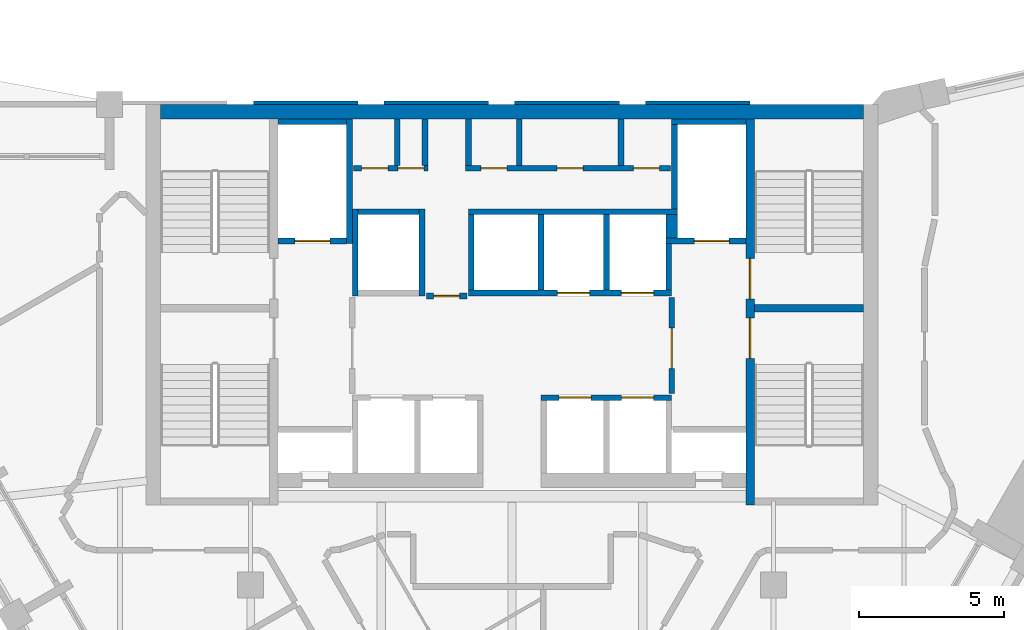
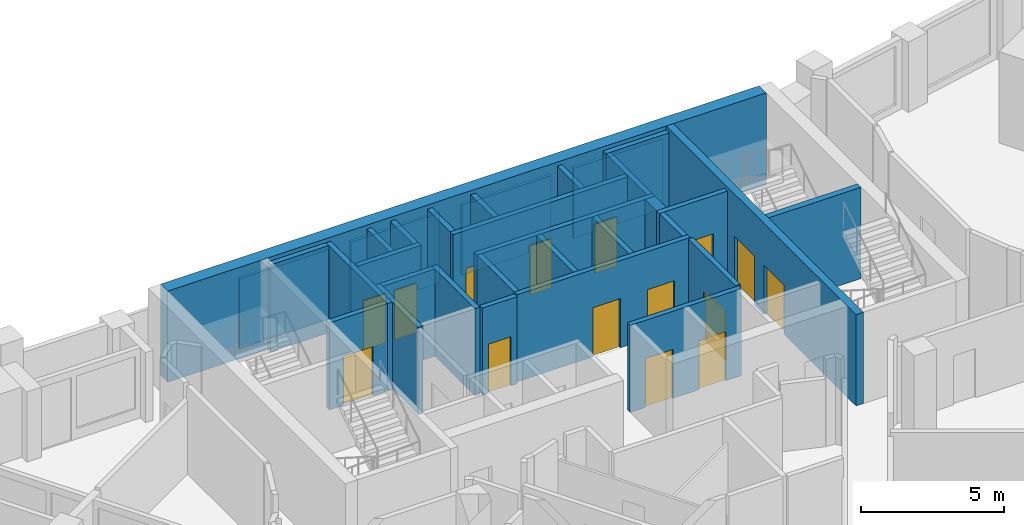
# One storey, part 6 of 9: 33 walls, 15 doors, 15 openings.
"""IFC4 building model written with IfcOpenShell, lengths in metres."""

from ifc_helpers import new_model, si_unit, direction, frame, frame_2d, origin, place, context, subcontext, project, spatial, polyline, rectangle, outline, extrude, material, layer, layer_set, type_object, element, fill, save


model = new_model("IFC4")

# Units and contexts
model_context = context("Model", 3, precision=1e-05, world=origin(), true_north=direction((0.0, 1.0)))
body_context = subcontext(model_context, "Body", "Model", "MODEL_VIEW")
ifc_project = project(units=[si_unit("LENGTHUNIT", "METRE"), si_unit("AREAUNIT", "SQUARE_METRE"), si_unit("VOLUMEUNIT", "CUBIC_METRE"), si_unit("PLANEANGLEUNIT", "RADIAN"), si_unit("MASSUNIT", "GRAM", prefix="KILO")], contexts=[model_context])

# Site, building, storey
site_placement = place(None, origin())
site = spatial("IfcSite", under=ifc_project, at=site_placement, CompositionType="ELEMENT")
building_placement = place(site_placement, origin())
building = spatial("IfcBuilding", under=site, at=building_placement, Name="Calabash Gate Tower", CompositionType="ELEMENT")
storey_placement = place(building_placement, frame((0.0, 0.0, 248.199951171875)))
storey = spatial("IfcBuildingStorey", under=building, at=storey_placement, Name="L59", CompositionType="ELEMENT", Elevation=248.199951171875)

# Walls
ifc_material_1 = material(Name="Gypsum board on steel studs, mineral wool", Category="steel")
ifc_layer_1 = layer(ifc_material_1, 0.199951171875)
ifc_layer_set_1 = layer_set([ifc_layer_1], Name="Core partition 200 gypsum board")
wall_type_1 = type_object("IfcWallType", Name="Core partition 200 gypsum board", PredefinedType="PARTITIONING", material=ifc_layer_set_1)
for number, where, z_axis, x_axis, name in (
    (1, (-3.949951171875, 16.95263671875, 0.0), (0.0, 0.0, 1.0), (0.0, 1.0, 0.0), "Core partition"),
    (2, (-3.0, 16.95263671875, 0.0), (0.0, 0.0, 1.0), (0.0, 1.0, 0.0), "Core partition"),
    (3, (-1.5, 16.95263671875, 0.0), (0.0, 0.0, 1.0), (0.0, 1.0, 0.0), "Core partition"),
    (4, (0.25, 16.95263671875, 0.0), (0.0, 0.0, 1.0), (0.0, 1.0, 0.0), "Core partition"),
    (5, (3.75, 16.95263671875, 0.0), (0.0, 0.0, 1.0), (0.0, 1.0, 0.0), "Core partition"),
):
    element("IfcWall", number, at=place(storey_placement, frame(where, z_axis=z_axis, x_axis=x_axis)), inside=storey, type_object=wall_type_1, Name=name, PredefinedType="PARTITIONING", context=body_context, shape_type="SweptSolid", body=[
        extrude(rectangle(XDim=1.599853515625, YDim=0.199951171875, at=frame_2d((0.7998046875, 0.0))), origin(), (0.0, 0.0, 1.0), 3.72998046875),
    ])
ifc_material_2 = material(Name="Concrete C60/75", Category="concrete")
ifc_layer_2 = layer(ifc_material_2, 0.25)
ifc_layer_set_2 = layer_set([ifc_layer_2], Name="Core wall 250 Concrete C60/75")
wall_type_2 = type_object("IfcWallType", Name="Core wall 250 Concrete C60/75", PredefinedType="SHEAR", material=ifc_layer_set_2)
wall_1_placement = place(storey_placement, frame((8.35009765625, 12.027587890625, 0.0), z_axis=(0.0, 0.0, 1.0), x_axis=(1.0, 0.0, 0.0)))
element("IfcWall", 6, at=wall_1_placement, inside=storey, type_object=wall_type_2, Name="Core wall Z5-MIDE L59", PredefinedType="SHEAR", context=body_context, shape_type="SweptSolid", body=[
    extrude(rectangle(XDim=3.75, YDim=0.25, at=frame_2d((1.875, 0.0))), origin(), (0.0, 0.0, 1.0), 3.900146484375),
])

# Wall, openings, doors
ifc_material_3 = material(Name="Concrete C60/75", Category="concrete")
ifc_layer_3 = layer(ifc_material_3, 0.300048828125)
ifc_layer_set_3 = layer_set([ifc_layer_3], Name="Core wall 300 Concrete C60/75")
wall_type_3 = type_object("IfcWallType", Name="Core wall 300 Concrete C60/75", PredefinedType="SHEAR", material=ifc_layer_set_3)
wall_2_placement = place(storey_placement, frame((8.199951171875, 5.252685546875, 0.0), z_axis=(0.0, 0.0, 1.0), x_axis=(0.0, 1.0, 0.0)))
wall_2 = element("IfcWall", 7, at=wall_2_placement, inside=storey, type_object=wall_type_3, Name="Core wall Z5-PARTE L59", PredefinedType="SHEAR", context=body_context, shape_type="SweptSolid", body=[
    extrude(rectangle(XDim=13.2998046875, YDim=0.300048828125, at=frame_2d((6.64990234375, 0.0))), origin(), (0.0, 0.0, 1.0), 3.900146484375),
])
opening_1_placement = place(wall_2_placement, frame((7.10009765625, 0.0, 0.0)))
opening_1 = element("IfcOpeningElement", 8, at=opening_1_placement, cuts=wall_2, Name="Opening O9-013", PredefinedType="OPENING", context=body_context, shape_type="SweptSolid", body=[
    extrude(rectangle(XDim=1.39990234375, YDim=2.10009765625, at=frame_2d((0.699951171875, 1.050048828125))), frame((0.0, 0.159912109375, 0.0), z_axis=(0.0, -1.0, 0.0), x_axis=(1.0, 0.0, 0.0)), (0.0, 0.0, 1.0), 0.320068359375),
])
opening_2_placement = place(wall_2_placement, frame((5.050048828125, 0.0, 0.0)))
opening_2 = element("IfcOpeningElement", 9, at=opening_2_placement, cuts=wall_2, Name="Opening O9-014", PredefinedType="OPENING", context=body_context, shape_type="SweptSolid", body=[
    extrude(rectangle(XDim=1.39990234375, YDim=2.10009765625, at=frame_2d((0.699951171875, 1.050048828125))), frame((0.0, 0.159912109375, 0.0), z_axis=(0.0, -1.0, 0.0), x_axis=(1.0, 0.0, 0.0)), (0.0, 0.0, 1.0), 0.320068359375),
])
ifc_material_4 = material(Name="Steel fire door set with fire-resisting glazing", Category="steel")
door_type_1 = type_object("IfcDoorType", Name="Fire door D05 1400x2100 FD90", OperationType="NOTDEFINED", PredefinedType="DOOR", material=ifc_material_4)
door_1_placement = place(opening_1_placement, origin())
door_1 = element("IfcDoor", 10, at=door_1_placement, inside=storey, type_object=door_type_1, Name="Exit stair door ST3", OperationType="SINGLE_SWING_RIGHT", OverallHeight=2.10009765625, OverallWidth=1.39990234375, PredefinedType="DOOR", context=body_context, shape_type="SweptSolid", body=[
    extrude(rectangle(XDim=1.39990234375, YDim=2.10009765625, at=frame_2d((0.699951171875, 1.050048828125))), frame((0.0, 0.02490234375, 0.0), z_axis=(0.0, -1.0, 0.0), x_axis=(1.0, 0.0, 0.0)), (0.0, 0.0, 1.0), 0.050048828125),
])
fill(opening_1, door_1)
door_2_placement = place(opening_2_placement, origin())
door_2 = element("IfcDoor", 11, at=door_2_placement, inside=storey, type_object=door_type_1, Name="Exit stair door ST4", OperationType="SINGLE_SWING_LEFT", OverallHeight=2.10009765625, OverallWidth=1.39990234375, PredefinedType="DOOR", context=body_context, shape_type="SweptSolid", body=[
    extrude(rectangle(XDim=1.39990234375, YDim=2.10009765625, at=frame_2d((0.699951171875, 1.050048828125))), frame((0.0, 0.02490234375, 0.0), z_axis=(0.0, -1.0, 0.0), x_axis=(1.0, 0.0, 0.0)), (0.0, 0.0, 1.0), 0.050048828125),
])
fill(opening_2, door_2)

# Wall
ifc_material_5 = material(Name="Concrete C60/75", Category="concrete")
ifc_layer_4 = layer(ifc_material_5, 0.5)
ifc_layer_set_4 = layer_set([ifc_layer_4], Name="Core wall 500 Concrete C60/75")
wall_type_4 = type_object("IfcWallType", Name="Core wall 500 Concrete C60/75", PredefinedType="SHEAR", material=ifc_layer_set_4)
wall_3_placement = place(storey_placement, frame((-12.10009765625, 18.802490234375, 0.0), z_axis=(0.0, 0.0, 1.0), x_axis=(1.0, 0.0, 0.0)))
element("IfcWall", 12, at=wall_3_placement, inside=storey, type_object=wall_type_4, Name="Core wall Z5-N L59", PredefinedType="SHEAR", context=body_context, shape_type="SweptSolid", body=[
    extrude(rectangle(XDim=24.2001953125, YDim=0.5, at=frame_2d((12.10009765625, 0.0))), origin(), (0.0, 0.0, 1.0), 3.900146484375),
])

# Wall, openings, doors
ifc_material_6 = material(Name="Concrete C40/50", Category="concrete")
ifc_layer_5 = layer(ifc_material_6, 0.199951171875)
ifc_layer_set_5 = layer_set([ifc_layer_5], Name="Shaft wall 200 Concrete C40/50")
wall_type_5 = type_object("IfcWallType", Name="Shaft wall 200 Concrete C40/50", PredefinedType="SOLIDWALL", material=ifc_layer_set_5)
wall_4_placement = place(storey_placement, frame((1.0, 8.95263671875, 0.0), z_axis=(0.0, 0.0, 1.0), x_axis=(1.0, 0.0, 0.0)))
wall_4 = element("IfcWall", 13, at=wall_4_placement, inside=storey, type_object=wall_type_5, Name="Shaft wall", PredefinedType="SOLIDWALL", context=body_context, shape_type="SweptSolid", body=[
    extrude(rectangle(XDim=4.5, YDim=0.199951171875, at=frame_2d((2.25, 0.0))), origin(), (0.0, 0.0, 1.0), 3.72998046875),
])
opening_3_placement = place(wall_4_placement, frame((0.625, 0.0, 0.0)))
opening_3 = element("IfcOpeningElement", 14, at=opening_3_placement, cuts=wall_4, Name="Opening LD-HR3", PredefinedType="OPENING", context=body_context, shape_type="SweptSolid", body=[
    extrude(rectangle(XDim=1.10009765625, YDim=2.10009765625, at=frame_2d((0.550048828125, 1.050048828125))), frame((0.0, 0.10986328125, 0.0), z_axis=(0.0, -1.0, 0.0), x_axis=(1.0, 0.0, 0.0)), (0.0, 0.0, 1.0), 0.219970703125),
])
opening_4_placement = place(wall_4_placement, frame((2.77490234375, 0.0, 0.0)))
opening_4 = element("IfcOpeningElement", 15, at=opening_4_placement, cuts=wall_4, Name="Opening LD-HR4", PredefinedType="OPENING", context=body_context, shape_type="SweptSolid", body=[
    extrude(rectangle(XDim=1.10009765625, YDim=2.10009765625, at=frame_2d((0.550048828125, 1.050048828125))), frame((0.0, 0.10986328125, 0.0), z_axis=(0.0, -1.0, 0.0), x_axis=(1.0, 0.0, 0.0)), (0.0, 0.0, 1.0), 0.219970703125),
])
ifc_material_7 = material(Name="Stainless steel sliding door leaves", Category="steel")
door_type_2 = type_object("IfcDoorType", Name="Lift landing door LS1 1100x2100 FD90", OperationType="DOUBLE_DOOR_SLIDING", PredefinedType="DOOR", material=ifc_material_7)
door_3_placement = place(opening_3_placement, origin())
door_3 = element("IfcDoor", 16, at=door_3_placement, inside=storey, type_object=door_type_2, Name="Lift landing door HR3", OperationType="DOUBLE_DOOR_SLIDING", OverallHeight=2.10009765625, OverallWidth=1.10009765625, PredefinedType="DOOR", context=body_context, shape_type="SweptSolid", body=[
    extrude(rectangle(XDim=1.10009765625, YDim=2.10009765625, at=frame_2d((0.550048828125, 1.050048828125))), frame((0.0, 0.02490234375, 0.0), z_axis=(0.0, -1.0, 0.0), x_axis=(1.0, 0.0, 0.0)), (0.0, 0.0, 1.0), 0.050048828125),
])
fill(opening_3, door_3)
door_4_placement = place(opening_4_placement, origin())
door_4 = element("IfcDoor", 17, at=door_4_placement, inside=storey, type_object=door_type_2, Name="Lift landing door HR4", OperationType="DOUBLE_DOOR_SLIDING", OverallHeight=2.10009765625, OverallWidth=1.10009765625, PredefinedType="DOOR", context=body_context, shape_type="SweptSolid", body=[
    extrude(rectangle(XDim=1.10009765625, YDim=2.10009765625, at=frame_2d((0.550048828125, 1.050048828125))), frame((0.0, 0.02490234375, 0.0), z_axis=(0.0, -1.0, 0.0), x_axis=(1.0, 0.0, 0.0)), (0.0, 0.0, 1.0), 0.050048828125),
])
fill(opening_4, door_4)

# Wall, opening, door
wall_5_placement = place(storey_placement, frame((5.5, 9.1025390625, 0.0), z_axis=(0.0, 0.0, 1.0), x_axis=(0.0, 1.0, 0.0)))
wall_5 = element("IfcWall", 18, at=wall_5_placement, inside=storey, type_object=wall_type_5, Name="Shaft wall", PredefinedType="SOLIDWALL", context=body_context, shape_type="SweptSolid", body=[
    extrude(rectangle(XDim=3.300048828125, YDim=0.199951171875, at=frame_2d((1.64990234375, 0.0))), origin(), (0.0, 0.0, 1.0), 3.72998046875),
])
opening_5_placement = place(wall_5_placement, frame((0.85009765625, 0.0, 0.0)))
opening_5 = element("IfcOpeningElement", 19, at=opening_5_placement, cuts=wall_5, Name="Opening O9-002", PredefinedType="OPENING", context=body_context, shape_type="SweptSolid", body=[
    extrude(rectangle(XDim=1.39990234375, YDim=2.10009765625, at=frame_2d((0.699951171875, 1.050048828125))), frame((0.0, 0.10986328125, 0.0), z_axis=(0.0, -1.0, 0.0), x_axis=(1.0, 0.0, 0.0)), (0.0, 0.0, 1.0), 0.219970703125),
])
door_5_placement = place(opening_5_placement, origin())
door_5 = element("IfcDoor", 20, at=door_5_placement, inside=storey, type_object=door_type_1, Name="Firefighting Lobby E door", OperationType="SINGLE_SWING_LEFT", OverallHeight=2.10009765625, OverallWidth=1.39990234375, PredefinedType="DOOR", context=body_context, shape_type="SweptSolid", body=[
    extrude(rectangle(XDim=1.39990234375, YDim=2.10009765625, at=frame_2d((0.699951171875, 1.050048828125))), frame((0.0, 0.02490234375, 0.0), z_axis=(0.0, -1.0, 0.0), x_axis=(1.0, 0.0, 0.0)), (0.0, 0.0, 1.0), 0.050048828125),
])
fill(opening_5, door_5)

wall_6_placement = place(storey_placement, frame((-2.949951171875, 12.45263671875, 0.0), z_axis=(0.0, 0.0, 1.0), x_axis=(1.0, 0.0, 0.0)))
wall_6 = element("IfcWall", 21, at=wall_6_placement, inside=storey, type_object=wall_type_5, Name="Shaft wall", PredefinedType="SOLIDWALL", context=body_context, shape_type="SweptSolid", body=[
    extrude(rectangle(XDim=1.39990234375, YDim=0.199951171875, at=frame_2d((0.699951171875, 0.0))), origin(), (0.0, 0.0, 1.0), 3.72998046875),
])
opening_6_placement = place(wall_6_placement, frame((0.25, 0.0, 0.0)))
opening_6 = element("IfcOpeningElement", 22, at=opening_6_placement, cuts=wall_6, Name="Opening O9-001", PredefinedType="OPENING", context=body_context, shape_type="SweptSolid", body=[
    extrude(rectangle(XDim=0.89990234375, YDim=2.10009765625, at=frame_2d((0.449951171875, 1.050048828125))), frame((0.0, 0.10986328125, 0.0), z_axis=(0.0, -1.0, 0.0), x_axis=(1.0, 0.0, 0.0)), (0.0, 0.0, 1.0), 0.219970703125),
])
ifc_material_8 = material(Name="Steel fire door set with fire-resisting glazing", Category="steel")
door_type_3 = type_object("IfcDoorType", Name="Fire door D06 900x2100 FD60", OperationType="NOTDEFINED", PredefinedType="DOOR", material=ifc_material_8)
door_6_placement = place(opening_6_placement, origin())
door_6 = element("IfcDoor", 23, at=door_6_placement, inside=storey, type_object=door_type_3, Name="Service Corridor door", OperationType="SINGLE_SWING_RIGHT", OverallHeight=2.10009765625, OverallWidth=0.89990234375, PredefinedType="DOOR", context=body_context, shape_type="SweptSolid", body=[
    extrude(rectangle(XDim=0.89990234375, YDim=2.10009765625, at=frame_2d((0.449951171875, 1.050048828125))), frame((0.0, 0.02490234375, 0.0), z_axis=(0.0, -1.0, 0.0), x_axis=(1.0, 0.0, 0.0)), (0.0, 0.0, 1.0), 0.050048828125),
])
fill(opening_6, door_6)

# Walls
for number, where, z_axis, x_axis, name in (
    (24, (-5.39990234375, 12.45263671875, 0.0), (0.0, 0.0, 1.0), (0.0, 1.0, 0.0), "Shaft wall"),
    (25, (-3.10009765625, 12.45263671875, 0.0), (0.0, 0.0, 1.0), (0.0, 1.0, 0.0), "Shaft wall"),
):
    element("IfcWall", number, at=place(storey_placement, frame(where, z_axis=z_axis, x_axis=x_axis)), inside=storey, type_object=wall_type_5, Name=name, PredefinedType="SOLIDWALL", context=body_context, shape_type="SweptSolid", body=[
        extrude(rectangle(XDim=3.0, YDim=0.199951171875, at=frame_2d((1.5, 0.0))), origin(), (0.0, 0.0, 1.0), 3.72998046875),
    ])

# Wall, openings, doors
wall_7_placement = place(storey_placement, frame((-1.5, 12.552490234375, 0.0), z_axis=(0.0, 0.0, 1.0), x_axis=(1.0, 0.0, 0.0)))
wall_7 = element("IfcWall", 26, at=wall_7_placement, inside=storey, type_object=wall_type_5, Name="Shaft wall", PredefinedType="SOLIDWALL", context=body_context, shape_type="SweptSolid", body=[
    extrude(rectangle(XDim=7.0, YDim=0.199951171875, at=frame_2d((3.5, 0.0))), origin(), (0.0, 0.0, 1.0), 3.72998046875),
])
opening_7_placement = place(wall_7_placement, frame((3.074951171875, 0.0, 0.0)))
opening_7 = element("IfcOpeningElement", 27, at=opening_7_placement, cuts=wall_7, Name="Opening LD-HR5", PredefinedType="OPENING", context=body_context, shape_type="SweptSolid", body=[
    extrude(rectangle(XDim=1.10009765625, YDim=2.10009765625, at=frame_2d((0.550048828125, 1.050048828125))), frame((0.0, 0.10986328125, 0.0), z_axis=(0.0, -1.0, 0.0), x_axis=(1.0, 0.0, 0.0)), (0.0, 0.0, 1.0), 0.219970703125),
])
opening_8_placement = place(wall_7_placement, frame((5.27490234375, 0.0, 0.0)))
opening_8 = element("IfcOpeningElement", 28, at=opening_8_placement, cuts=wall_7, Name="Opening LD-HR6", PredefinedType="OPENING", context=body_context, shape_type="SweptSolid", body=[
    extrude(rectangle(XDim=1.10009765625, YDim=2.10009765625, at=frame_2d((0.550048828125, 1.050048828125))), frame((0.0, 0.10986328125, 0.0), z_axis=(0.0, -1.0, 0.0), x_axis=(1.0, 0.0, 0.0)), (0.0, 0.0, 1.0), 0.219970703125),
])
door_7_placement = place(opening_7_placement, origin())
door_7 = element("IfcDoor", 29, at=door_7_placement, inside=storey, type_object=door_type_2, Name="Lift landing door HR5", OperationType="DOUBLE_DOOR_SLIDING", OverallHeight=2.10009765625, OverallWidth=1.10009765625, PredefinedType="DOOR", context=body_context, shape_type="SweptSolid", body=[
    extrude(rectangle(XDim=1.10009765625, YDim=2.10009765625, at=frame_2d((0.550048828125, 1.050048828125))), frame((0.0, 0.02490234375, 0.0), z_axis=(0.0, -1.0, 0.0), x_axis=(1.0, 0.0, 0.0)), (0.0, 0.0, 1.0), 0.050048828125),
])
fill(opening_7, door_7)
door_8_placement = place(opening_8_placement, origin())
door_8 = element("IfcDoor", 30, at=door_8_placement, inside=storey, type_object=door_type_2, Name="Lift landing door HR6", OperationType="DOUBLE_DOOR_SLIDING", OverallHeight=2.10009765625, OverallWidth=1.10009765625, PredefinedType="DOOR", context=body_context, shape_type="SweptSolid", body=[
    extrude(rectangle(XDim=1.10009765625, YDim=2.10009765625, at=frame_2d((0.550048828125, 1.050048828125))), frame((0.0, 0.02490234375, 0.0), z_axis=(0.0, -1.0, 0.0), x_axis=(1.0, 0.0, 0.0)), (0.0, 0.0, 1.0), 0.050048828125),
])
fill(opening_8, door_8)

# Walls
for number, where, z_axis, x_axis, name in (
    (31, (-1.39990234375, 12.652587890625, 0.0), (0.0, 0.0, 1.0), (0.0, 1.0, 0.0), "Shaft wall"),
    (32, (1.0, 12.652587890625, 0.0), (0.0, 0.0, 1.0), (0.0, 1.0, 0.0), "Shaft wall"),
    (33, (3.25, 12.652587890625, 0.0), (0.0, 0.0, 1.0), (0.0, 1.0, 0.0), "Shaft wall"),
):
    element("IfcWall", number, at=place(storey_placement, frame(where, z_axis=z_axis, x_axis=x_axis)), inside=storey, type_object=wall_type_5, Name=name, PredefinedType="SOLIDWALL", context=body_context, shape_type="SweptSolid", body=[
        extrude(rectangle(XDim=2.60009765625, YDim=0.199951171875, at=frame_2d((1.300048828125, 0.0))), origin(), (0.0, 0.0, 1.0), 3.72998046875),
    ])
wall_8_placement = place(storey_placement, frame((5.39990234375, 12.652587890625, 0.0), z_axis=(0.0, 0.0, 1.0), x_axis=(0.0, 1.0, 0.0)))
element("IfcWall", 34, at=wall_8_placement, inside=storey, type_object=wall_type_5, Name="Shaft wall", PredefinedType="SOLIDWALL", context=body_context, shape_type="SweptSolid", body=[
    extrude(rectangle(XDim=1.60009765625, YDim=0.199951171875, at=frame_2d((0.800048828125, 0.0))), origin(), (0.0, 0.0, 1.0), 3.72998046875),
])

# Wall, opening, door
wall_9_placement = place(storey_placement, frame((-8.050048828125, 14.3525390625, 0.0), z_axis=(0.0, 0.0, 1.0), x_axis=(1.0, 0.0, 0.0)))
wall_9 = element("IfcWall", 35, at=wall_9_placement, inside=storey, type_object=wall_type_5, Name="Shaft wall", PredefinedType="SOLIDWALL", context=body_context, shape_type="SweptSolid", body=[
    extrude(rectangle(XDim=2.35009765625, YDim=0.199951171875, at=frame_2d((1.175048828125, 0.0))), origin(), (0.0, 0.0, 1.0), 3.72998046875),
])
opening_9_placement = place(wall_9_placement, frame((0.574951171875, 0.0, 0.0)))
opening_9 = element("IfcOpeningElement", 36, at=opening_9_placement, cuts=wall_9, Name="Opening LD-FF1", PredefinedType="OPENING", context=body_context, shape_type="SweptSolid", body=[
    extrude(rectangle(XDim=1.199951171875, YDim=2.10009765625, at=frame_2d((0.60009765625, 1.050048828125))), frame((0.0, 0.10986328125, 0.0), z_axis=(0.0, -1.0, 0.0), x_axis=(1.0, 0.0, 0.0)), (0.0, 0.0, 1.0), 0.219970703125),
])
ifc_material_9 = material(Name="Stainless steel sliding door leaves", Category="steel")
door_type_4 = type_object("IfcDoorType", Name="Lift landing door LS3 1200x2100 FD90", OperationType="DOUBLE_DOOR_SLIDING", PredefinedType="DOOR", material=ifc_material_9)
door_9_placement = place(opening_9_placement, origin())
door_9 = element("IfcDoor", 37, at=door_9_placement, inside=storey, type_object=door_type_4, Name="Lift landing door FF1", OperationType="DOUBLE_DOOR_SLIDING", OverallHeight=2.10009765625, OverallWidth=1.199951171875, PredefinedType="DOOR", context=body_context, shape_type="SweptSolid", body=[
    extrude(rectangle(XDim=1.199951171875, YDim=2.10009765625, at=frame_2d((0.60009765625, 1.050048828125))), frame((0.0, 0.02490234375, 0.0), z_axis=(0.0, -1.0, 0.0), x_axis=(1.0, 0.0, 0.0)), (0.0, 0.0, 1.0), 0.050048828125),
])
fill(opening_9, door_9)

# Wall
wall_10_placement = place(storey_placement, frame((-5.60009765625, 14.252685546875, 0.0), z_axis=(0.0, 0.0, 1.0), x_axis=(0.0, 1.0, 0.0)))
element("IfcWall", 38, at=wall_10_placement, inside=storey, type_object=wall_type_5, Name="Shaft wall", PredefinedType="SOLIDWALL", context=body_context, shape_type="SweptSolid", body=[
    extrude(rectangle(XDim=4.2998046875, YDim=0.199951171875, at=frame_2d((2.14990234375, 0.0))), origin(), (0.0, 0.0, 1.0), 3.72998046875),
])

# Wall, opening, door
wall_11_placement = place(storey_placement, frame((5.300048828125, 14.3525390625, 0.0), z_axis=(0.0, 0.0, 1.0), x_axis=(1.0, 0.0, 0.0)))
wall_11 = element("IfcWall", 39, at=wall_11_placement, inside=storey, type_object=wall_type_5, Name="Shaft wall", PredefinedType="SOLIDWALL", context=body_context, shape_type="SweptSolid", body=[
    extrude(rectangle(XDim=2.75, YDim=0.199951171875, at=frame_2d((1.375, 0.0))), origin(), (0.0, 0.0, 1.0), 3.72998046875),
])
opening_10_placement = place(wall_11_placement, frame((0.97509765625, 0.0, 0.0)))
opening_10 = element("IfcOpeningElement", 40, at=opening_10_placement, cuts=wall_11, Name="Opening LD-FF2", PredefinedType="OPENING", context=body_context, shape_type="SweptSolid", body=[
    extrude(rectangle(XDim=1.199951171875, YDim=2.10009765625, at=frame_2d((0.60009765625, 1.050048828125))), frame((0.0, 0.10986328125, 0.0), z_axis=(0.0, -1.0, 0.0), x_axis=(1.0, 0.0, 0.0)), (0.0, 0.0, 1.0), 0.219970703125),
])
door_10_placement = place(opening_10_placement, origin())
door_10 = element("IfcDoor", 41, at=door_10_placement, inside=storey, type_object=door_type_4, Name="Lift landing door FF2", OperationType="DOUBLE_DOOR_SLIDING", OverallHeight=2.10009765625, OverallWidth=1.199951171875, PredefinedType="DOOR", context=body_context, shape_type="SweptSolid", body=[
    extrude(rectangle(XDim=1.199951171875, YDim=2.10009765625, at=frame_2d((0.60009765625, 1.050048828125))), frame((0.0, 0.02490234375, 0.0), z_axis=(0.0, -1.0, 0.0), x_axis=(1.0, 0.0, 0.0)), (0.0, 0.0, 1.0), 0.050048828125),
])
fill(opening_10, door_10)

# Walls
wall_12_placement = place(storey_placement, frame((5.5, 14.45263671875, 0.0), z_axis=(0.0, 0.0, 1.0), x_axis=(0.0, 1.0, 0.0)))
element("IfcWall", 42, at=wall_12_placement, inside=storey, type_object=wall_type_5, Name="Shaft wall", PredefinedType="SOLIDWALL", context=body_context, shape_type="SweptSolid", body=[
    extrude(rectangle(XDim=0.800048828125, YDim=0.39990234375, at=frame_2d((0.39990234375, 0.0))), origin(), (0.0, 0.0, 1.0), 3.72998046875),
])
wall_13_placement = place(storey_placement, frame((-5.300048828125, 15.3525390625, 0.0), z_axis=(0.0, 0.0, 1.0), x_axis=(1.0, 0.0, 0.0)))
element("IfcWall", 43, at=wall_13_placement, inside=storey, type_object=wall_type_5, Name="Shaft wall", PredefinedType="SOLIDWALL", context=body_context, shape_type="SweptSolid", body=[
    extrude(rectangle(XDim=2.10009765625, YDim=0.199951171875, at=frame_2d((1.050048828125, 0.0))), origin(), (0.0, 0.0, 1.0), 3.72998046875),
])
wall_14_placement = place(storey_placement, frame((-1.5, 15.3525390625, 0.0), z_axis=(0.0, 0.0, 1.0), x_axis=(1.0, 0.0, 0.0)))
element("IfcWall", 44, at=wall_14_placement, inside=storey, type_object=wall_type_5, Name="Shaft wall", PredefinedType="SOLIDWALL", context=body_context, shape_type="SweptSolid", body=[
    extrude(rectangle(XDim=7.199951171875, YDim=0.199951171875, at=frame_2d((3.60009765625, 0.0))), origin(), (0.0, 0.0, 1.0), 3.72998046875),
])
wall_15_placement = place(storey_placement, frame((5.60009765625, 15.45263671875, 0.0), z_axis=(0.0, 0.0, 1.0), x_axis=(0.0, 1.0, 0.0)))
element("IfcWall", 45, at=wall_15_placement, inside=storey, type_object=wall_type_5, Name="Shaft wall", PredefinedType="SOLIDWALL", context=body_context, shape_type="SweptSolid", body=[
    extrude(rectangle(XDim=2.89990234375, YDim=0.199951171875, at=frame_2d((1.449951171875, 0.0))), origin(), (0.0, 0.0, 1.0), 3.72998046875),
])

# Wall, openings, doors
wall_16_placement = place(storey_placement, frame((-5.449951171875, 16.8525390625, 0.0), z_axis=(0.0, 0.0, 1.0), x_axis=(1.0, 0.0, 0.0)))
wall_16 = element("IfcWall", 46, at=wall_16_placement, inside=storey, type_object=wall_type_5, Name="Shaft wall", PredefinedType="SOLIDWALL", context=body_context, shape_type="SweptSolid", body=[
    extrude(rectangle(XDim=2.550048828125, YDim=0.199951171875, at=frame_2d((1.27490234375, 0.0))), origin(), (0.0, 0.0, 1.0), 3.72998046875),
])
opening_11_placement = place(wall_16_placement, frame((0.27490234375, 0.0, 0.0)))
opening_11 = element("IfcOpeningElement", 47, at=opening_11_placement, cuts=wall_16, Name="Opening O9-004", PredefinedType="OPENING", context=body_context, shape_type="SweptSolid", body=[
    extrude(rectangle(XDim=0.89990234375, YDim=2.10009765625, at=frame_2d((0.449951171875, 1.050048828125))), frame((0.0, 0.10986328125, 0.0), z_axis=(0.0, -1.0, 0.0), x_axis=(1.0, 0.0, 0.0)), (0.0, 0.0, 1.0), 0.219970703125),
])
opening_12_placement = place(wall_16_placement, frame((1.52490234375, 0.0, 0.0)))
opening_12 = element("IfcOpeningElement", 48, at=opening_12_placement, cuts=wall_16, Name="Opening O9-005", PredefinedType="OPENING", context=body_context, shape_type="SweptSolid", body=[
    extrude(rectangle(XDim=0.89990234375, YDim=2.10009765625, at=frame_2d((0.449951171875, 1.050048828125))), frame((0.0, 0.10986328125, 0.0), z_axis=(0.0, -1.0, 0.0), x_axis=(1.0, 0.0, 0.0)), (0.0, 0.0, 1.0), 0.219970703125),
])
door_11_placement = place(opening_11_placement, origin())
door_11 = element("IfcDoor", 49, at=door_11_placement, inside=storey, type_object=door_type_3, Name="Accessible WC door", OperationType="SINGLE_SWING_LEFT", OverallHeight=2.10009765625, OverallWidth=0.89990234375, PredefinedType="DOOR", context=body_context, shape_type="SweptSolid", body=[
    extrude(rectangle(XDim=0.89990234375, YDim=2.10009765625, at=frame_2d((0.449951171875, 1.050048828125))), frame((0.0, 0.02490234375, 0.0), z_axis=(0.0, -1.0, 0.0), x_axis=(1.0, 0.0, 0.0)), (0.0, 0.0, 1.0), 0.050048828125),
])
fill(opening_11, door_11)
door_12_placement = place(opening_12_placement, origin())
door_12 = element("IfcDoor", 50, at=door_12_placement, inside=storey, type_object=door_type_3, Name="Print Room door", OperationType="SINGLE_SWING_LEFT", OverallHeight=2.10009765625, OverallWidth=0.89990234375, PredefinedType="DOOR", context=body_context, shape_type="SweptSolid", body=[
    extrude(rectangle(XDim=0.89990234375, YDim=2.10009765625, at=frame_2d((0.449951171875, 1.050048828125))), frame((0.0, 0.02490234375, 0.0), z_axis=(0.0, -1.0, 0.0), x_axis=(1.0, 0.0, 0.0)), (0.0, 0.0, 1.0), 0.050048828125),
])
fill(opening_12, door_12)

wall_17_placement = place(storey_placement, frame((-1.60009765625, 16.8525390625, 0.0), z_axis=(0.0, 0.0, 1.0), x_axis=(1.0, 0.0, 0.0)))
wall_17 = element("IfcWall", 51, at=wall_17_placement, inside=storey, type_object=wall_type_5, Name="Shaft wall", PredefinedType="SOLIDWALL", context=body_context, shape_type="SweptSolid", body=[
    extrude(rectangle(XDim=7.050048828125, YDim=0.199951171875, at=frame_2d((3.52490234375, 0.0))), origin(), (0.0, 0.0, 1.0), 3.72998046875),
])
opening_13_placement = place(wall_17_placement, frame((0.52490234375, 0.0, 0.0)))
opening_13 = element("IfcOpeningElement", 52, at=opening_13_placement, cuts=wall_17, Name="Opening O9-006", PredefinedType="OPENING", context=body_context, shape_type="SweptSolid", body=[
    extrude(rectangle(XDim=0.89990234375, YDim=2.10009765625, at=frame_2d((0.449951171875, 1.050048828125))), frame((0.0, 0.10986328125, 0.0), z_axis=(0.0, -1.0, 0.0), x_axis=(1.0, 0.0, 0.0)), (0.0, 0.0, 1.0), 0.219970703125),
])
opening_14_placement = place(wall_17_placement, frame((3.14990234375, 0.0, 0.0)))
opening_14 = element("IfcOpeningElement", 53, at=opening_14_placement, cuts=wall_17, Name="Opening O9-007", PredefinedType="OPENING", context=body_context, shape_type="SweptSolid", body=[
    extrude(rectangle(XDim=0.89990234375, YDim=2.10009765625, at=frame_2d((0.449951171875, 1.050048828125))), frame((0.0, 0.10986328125, 0.0), z_axis=(0.0, -1.0, 0.0), x_axis=(1.0, 0.0, 0.0)), (0.0, 0.0, 1.0), 0.219970703125),
])
opening_15_placement = place(wall_17_placement, frame((5.77490234375, 0.0, 0.0)))
opening_15 = element("IfcOpeningElement", 54, at=opening_15_placement, cuts=wall_17, Name="Opening O9-008", PredefinedType="OPENING", context=body_context, shape_type="SweptSolid", body=[
    extrude(rectangle(XDim=0.89990234375, YDim=2.10009765625, at=frame_2d((0.449951171875, 1.050048828125))), frame((0.0, 0.10986328125, 0.0), z_axis=(0.0, -1.0, 0.0), x_axis=(1.0, 0.0, 0.0)), (0.0, 0.0, 1.0), 0.219970703125),
])
door_13_placement = place(opening_13_placement, origin())
door_13 = element("IfcDoor", 55, at=door_13_placement, inside=storey, type_object=door_type_3, Name="Meter Room door", OperationType="SINGLE_SWING_LEFT", OverallHeight=2.10009765625, OverallWidth=0.89990234375, PredefinedType="DOOR", context=body_context, shape_type="SweptSolid", body=[
    extrude(rectangle(XDim=0.89990234375, YDim=2.10009765625, at=frame_2d((0.449951171875, 1.050048828125))), frame((0.0, 0.02490234375, 0.0), z_axis=(0.0, -1.0, 0.0), x_axis=(1.0, 0.0, 0.0)), (0.0, 0.0, 1.0), 0.050048828125),
])
fill(opening_13, door_13)
door_14_placement = place(opening_14_placement, origin())
door_14 = element("IfcDoor", 56, at=door_14_placement, inside=storey, type_object=door_type_3, Name="Cleaner's Store door", OperationType="SINGLE_SWING_LEFT", OverallHeight=2.10009765625, OverallWidth=0.89990234375, PredefinedType="DOOR", context=body_context, shape_type="SweptSolid", body=[
    extrude(rectangle(XDim=0.89990234375, YDim=2.10009765625, at=frame_2d((0.449951171875, 1.050048828125))), frame((0.0, 0.02490234375, 0.0), z_axis=(0.0, -1.0, 0.0), x_axis=(1.0, 0.0, 0.0)), (0.0, 0.0, 1.0), 0.050048828125),
])
fill(opening_14, door_14)
door_15_placement = place(opening_15_placement, origin())
door_15 = element("IfcDoor", 57, at=door_15_placement, inside=storey, type_object=door_type_3, Name="Tenant Pantry door", OperationType="SINGLE_SWING_RIGHT", OverallHeight=2.10009765625, OverallWidth=0.89990234375, PredefinedType="DOOR", context=body_context, shape_type="SweptSolid", body=[
    extrude(rectangle(XDim=0.89990234375, YDim=2.10009765625, at=frame_2d((0.449951171875, 1.050048828125))), frame((0.0, 0.02490234375, 0.0), z_axis=(0.0, -1.0, 0.0), x_axis=(1.0, 0.0, 0.0)), (0.0, 0.0, 1.0), 0.050048828125),
])
fill(opening_15, door_15)

# Walls
wall_18_placement = place(storey_placement, frame((-8.050048828125, 18.45263671875, 0.0), z_axis=(0.0, 0.0, 1.0), x_axis=(1.0, 0.0, 0.0)))
element("IfcWall", 58, at=wall_18_placement, inside=storey, type_object=wall_type_5, Name="Shaft wall", PredefinedType="SOLIDWALL", context=body_context, shape_type="SweptSolid", body=[
    extrude(rectangle(XDim=2.35009765625, YDim=0.199951171875, at=frame_2d((1.175048828125, 0.0))), origin(), (0.0, 0.0, 1.0), 3.72998046875),
])
wall_19_placement = place(storey_placement, frame((5.5, 18.45263671875, 0.0), z_axis=(0.0, 0.0, 1.0), x_axis=(1.0, 0.0, 0.0)))
element("IfcWall", 59, at=wall_19_placement, inside=storey, type_object=wall_type_5, Name="Shaft wall", PredefinedType="SOLIDWALL", context=body_context, shape_type="SweptSolid", body=[
    extrude(rectangle(XDim=2.550048828125, YDim=0.199951171875, at=frame_2d((1.27490234375, 0.0))), origin(), (0.0, 0.0, 1.0), 3.72998046875),
])
ifc_material_10 = material(Name="Terracotta brick masonry, perforated", Category="masonry")
ifc_layer_6 = layer(ifc_material_10, 0.1201171875)
ifc_layer_set_6 = layer_set([ifc_layer_6], Name="Terracotta jaali cladding A 120")
wall_type_6 = type_object("IfcWallType", Name="Terracotta jaali cladding A 120", PredefinedType="SOLIDWALL", material=ifc_layer_set_6)
wall_20_placement = place(storey_placement, origin())
element("IfcWall", 60, at=wall_20_placement, inside=storey, type_object=wall_type_6, Name="Jaali cladding S17 N6.1", PredefinedType="SOLIDWALL", context=body_context, shape_type="SweptSolid", body=[
    extrude(outline(polyline([(4.594482421875, 19.172607421875), (4.594482421875, 19.052490234375), (8.194580078125, 19.052490234375), (8.194580078125, 19.172607421875), (4.594482421875, 19.172607421875)])), origin(), (0.0, 0.0, 1.0), 3.0),
])
wall_21_placement = place(storey_placement, origin())
element("IfcWall", 61, at=wall_21_placement, inside=storey, type_object=wall_type_6, Name="Jaali cladding S17 N6.3", PredefinedType="SOLIDWALL", context=body_context, shape_type="SweptSolid", body=[
    extrude(outline(polyline([(-4.405517578125, 19.172607421875), (-4.405517578125, 19.052490234375), (-0.805419921875, 19.052490234375), (-0.805419921875, 19.172607421875), (-4.405517578125, 19.172607421875)])), origin(), (0.0, 0.0, 1.0), 3.0),
])
ifc_material_11 = material(Name="Terracotta louvre blades in an aluminium frame", Category="masonry")
ifc_layer_7 = layer(ifc_material_11, 0.1201171875)
ifc_layer_set_7 = layer_set([ifc_layer_7], Name="Terracotta vent louvre cladding 120")
wall_type_7 = type_object("IfcWallType", Name="Terracotta vent louvre cladding 120", PredefinedType="ELEMENTEDWALL", material=ifc_layer_set_7)
wall_22_placement = place(storey_placement, origin())
element("IfcWall", 62, at=wall_22_placement, inside=storey, type_object=wall_type_7, Name="Vent louvre cladding S17 N6.2", PredefinedType="ELEMENTEDWALL", context=body_context, shape_type="SweptSolid", body=[
    extrude(outline(polyline([(0.094482421875, 19.172607421875), (0.094482421875, 19.052490234375), (3.694580078125, 19.052490234375), (3.694580078125, 19.172607421875), (0.094482421875, 19.172607421875)])), origin(), (0.0, 0.0, 1.0), 3.0),
])
wall_23_placement = place(storey_placement, origin())
element("IfcWall", 63, at=wall_23_placement, inside=storey, type_object=wall_type_7, Name="Vent louvre cladding S17 N6.4", PredefinedType="ELEMENTEDWALL", context=body_context, shape_type="SweptSolid", body=[
    extrude(outline(polyline([(-8.905517578125, 19.172607421875), (-8.905517578125, 19.052490234375), (-5.305419921875, 19.052490234375), (-5.305419921875, 19.172607421875), (-8.905517578125, 19.172607421875)])), origin(), (0.0, 0.0, 1.0), 3.0),
])

save(model, "model.ifc")
